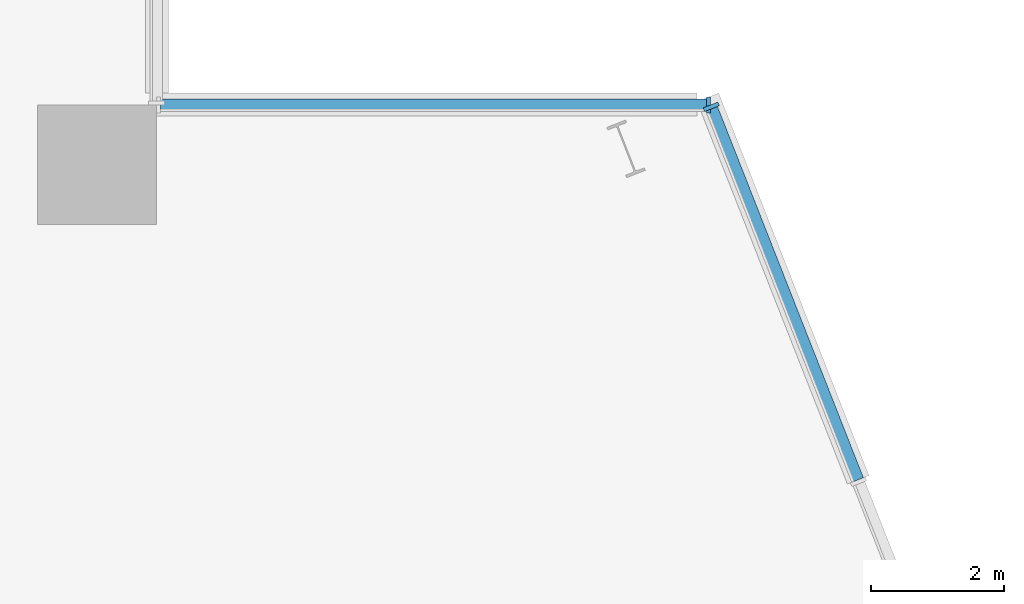
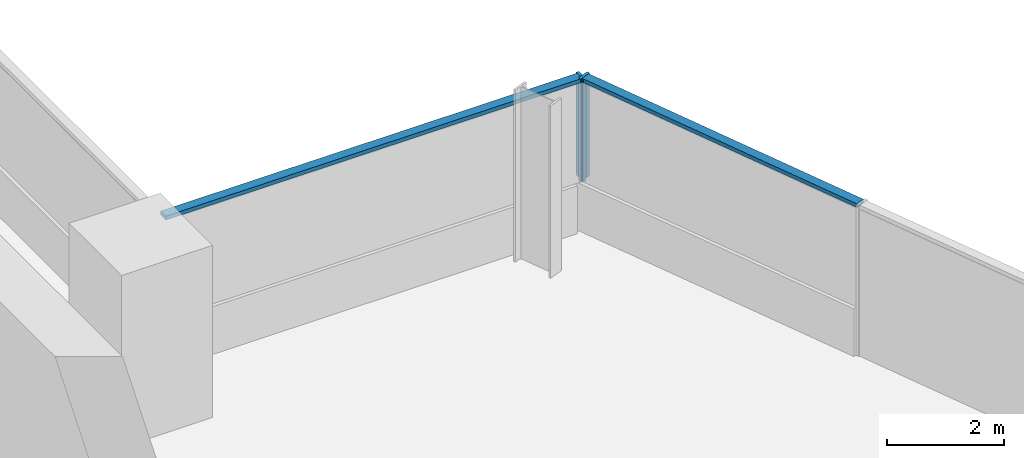
# One storey, part 11 of 25: 4 members, 2 elements without a shape of their own.
"""IFC4 building model written with IfcOpenShell, lengths in metres."""

from ifc_helpers import new_model, si_unit, direction, frame, origin, origin_2d, place, context, subcontext, project, spatial, rectangle, extrude, material, material_profile, profile_set, type_object, element, aggregate, save


model = new_model("IFC4")

# Units and contexts
model_context = context("Model", 3, precision=1e-05, world=origin(), true_north=direction((0.0, 1.0)))
body_context = subcontext(model_context, "Body", "Model", "MODEL_VIEW")
ifc_project = project(units=[si_unit("LENGTHUNIT", "METRE"), si_unit("AREAUNIT", "SQUARE_METRE"), si_unit("VOLUMEUNIT", "CUBIC_METRE"), si_unit("PLANEANGLEUNIT", "RADIAN"), si_unit("MASSUNIT", "GRAM", prefix="KILO")], contexts=[model_context])

# Site, building, storey
site_placement = place(None, origin())
site = spatial("IfcSite", under=ifc_project, at=site_placement, CompositionType="ELEMENT")
building_placement = place(site_placement, origin())
building = spatial("IfcBuilding", under=site, at=building_placement, Name="Wharfspan Tower", CompositionType="ELEMENT")
storey_placement = place(building_placement, frame((0.0, 0.0, 143.5)))
storey = spatial("IfcBuildingStorey", under=building, at=storey_placement, Name="L34", CompositionType="ELEMENT", Elevation=143.5)

# Curtain wall, member
ifc_material = material(Name="Aluminium 6063-T6", Category="aluminium")
curtain_wall_type = type_object("IfcCurtainWallType", Name="CURTAIN WALL PROW AND END", PredefinedType="NOTDEFINED", material=ifc_material)
curtain_wall_1_placement = place(storey_placement, origin())
curtain_wall_1 = element("IfcCurtainWall", 1, at=curtain_wall_1_placement, inside=storey, type_object=curtain_wall_type, Name="Curtain wall E", PredefinedType="NOTDEFINED")
ifc_material_profile_1 = material_profile(ifc_material, rectangle(XDim=0.23999, YDim=0.060059, at=origin_2d()))
ifc_profile_set_1 = profile_set([ifc_material_profile_1], Name="Aluminium 6063-T6")
member_type_1 = type_object("IfcMemberType", Name="MULLION PROW AND END 60x240", PredefinedType="MULLION", material=ifc_profile_set_1)
member_1_placement = place(storey_placement, frame((76.369141, 41.972168, 1.0), z_axis=(0.0, 0.0, 1.0), x_axis=(-0.930702, -0.365778, 0.0)))
member_1 = element("IfcMember", 2, at=member_1_placement, type_object=member_type_1, Name="Curtain wall E mullion 8", PredefinedType="MULLION", context=body_context, shape_type="SweptSolid", body=[
    extrude(rectangle(XDim=0.23999, YDim=0.060059, at=origin_2d()), origin(), (0.0, 0.0, 1.0), 2.149902),
])

curtain_wall_2_placement = place(storey_placement, origin())
curtain_wall_2 = element("IfcCurtainWall", 3, at=curtain_wall_2_placement, inside=storey, type_object=curtain_wall_type, Name="Curtain wall NRE-H", PredefinedType="NOTDEFINED")
member_2_placement = place(storey_placement, frame((76.328125, 42.0, 1.0), z_axis=(0.0, 0.0, 1.0), x_axis=(0.0, -1.0, 0.0)))
member_2 = element("IfcMember", 4, at=member_2_placement, type_object=member_type_1, Name="Curtain wall NRE-H mullion 1", PredefinedType="MULLION", context=body_context, shape_type="SweptSolid", body=[
    extrude(rectangle(XDim=0.23999, YDim=0.060059, at=origin_2d()), origin(), (0.0, 0.0, 1.0), 2.149902),
])

# Member
ifc_material_profile_2 = material_profile(ifc_material, rectangle(XDim=0.179932, YDim=0.080078, at=origin_2d()))
ifc_profile_set_2 = profile_set([ifc_material_profile_2], Name="Aluminium 6063-T6")
member_type_2 = type_object("IfcMemberType", Name="TRANSOM PROW AND END 80x180", PredefinedType="USERDEFINED", material=ifc_profile_set_2)
member_3_placement = place(storey_placement, frame((78.581787, 36.342285, 3.110107), z_axis=(-0.365789, 0.930698, 0.0), x_axis=(-0.930698, -0.365789, 0.0)))
member_3 = element("IfcMember", 5, at=member_3_placement, type_object=member_type_2, Name="Curtain wall E transom 7", ObjectType="TRANSOM", PredefinedType="USERDEFINED", context=body_context, shape_type="SweptSolid", body=[
    extrude(rectangle(XDim=0.179932, YDim=0.080078, at=origin_2d()), origin(), (0.0, 0.0, 1.0), 6.019043),
])

aggregate(curtain_wall_1, [member_1, member_3])

member_4_placement = place(storey_placement, frame((76.298096, 42.0, 3.110107), z_axis=(-1.0, 0.0, 0.0), x_axis=(0.0, -1.0, 0.0)))
member_4 = element("IfcMember", 6, at=member_4_placement, type_object=member_type_2, Name="Curtain wall NRE-H transom 1", ObjectType="TRANSOM", PredefinedType="USERDEFINED", context=body_context, shape_type="SweptSolid", body=[
    extrude(rectangle(XDim=0.179932, YDim=0.080078, at=origin_2d()), origin(), (0.0, 0.0, 1.0), 8.238037),
])

aggregate(curtain_wall_2, [member_2, member_4])

save(model, "model.ifc")
